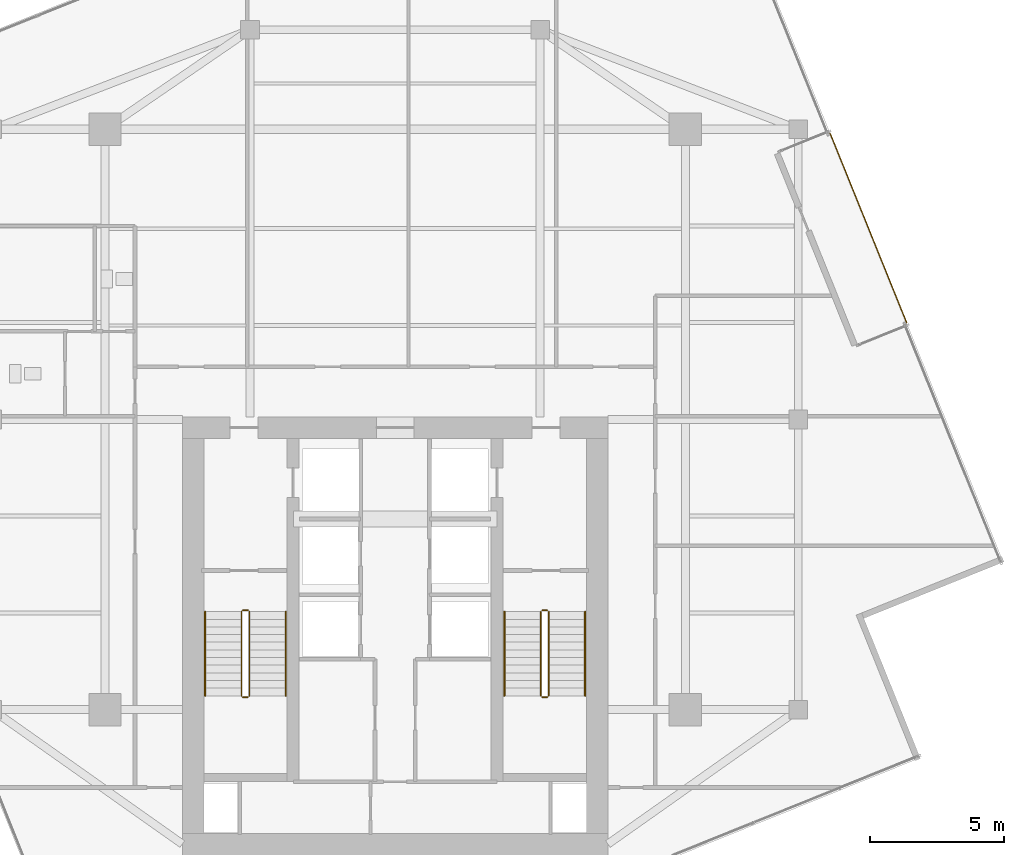
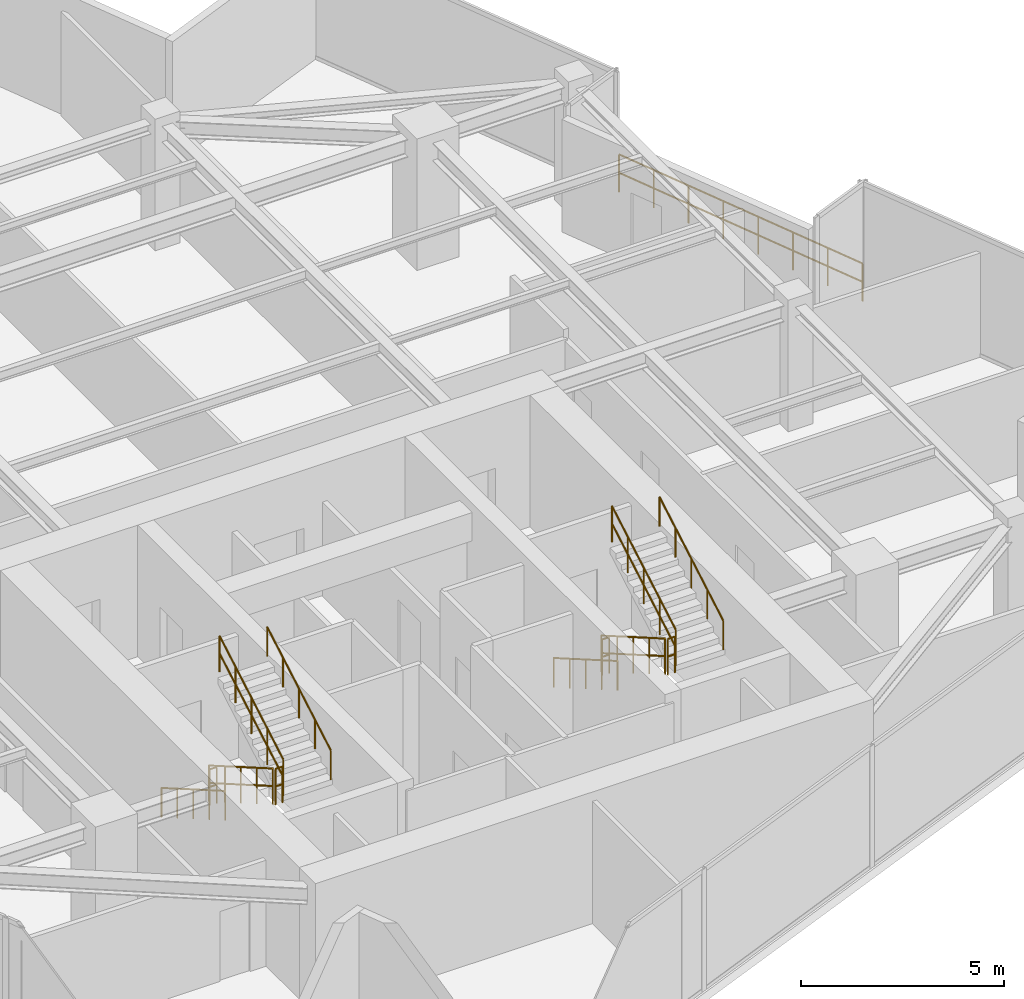
# One storey, part 20 of 21: 13 railings.
"""IFC4 building model written with IfcOpenShell, lengths in metres."""

from ifc_helpers import new_model, si_unit, direction, frame, origin, origin_2d, place, context, subcontext, project, spatial, circle, extrude, material, layer, layer_set, type_object, element, save


model = new_model("IFC4")

# Units and contexts
model_context = context("Model", 3, precision=1e-05, world=origin(), true_north=direction((0.0, 1.0)))
body_context = subcontext(model_context, "Body", "Model", "MODEL_VIEW")
ifc_project = project(units=[si_unit("LENGTHUNIT", "METRE"), si_unit("AREAUNIT", "SQUARE_METRE"), si_unit("VOLUMEUNIT", "CUBIC_METRE"), si_unit("PLANEANGLEUNIT", "RADIAN"), si_unit("MASSUNIT", "GRAM", prefix="KILO")], contexts=[model_context])

# Site, building, storey
site_placement = place(None, origin())
site = spatial("IfcSite", under=ifc_project, at=site_placement, CompositionType="ELEMENT")
building_placement = place(site_placement, origin())
building = spatial("IfcBuilding", under=site, at=building_placement, Name="Krantzveldt Concourse Tower", CompositionType="ELEMENT")
storey_placement = place(building_placement, frame((0.0, 0.0, 323.75)))
storey = spatial("IfcBuildingStorey", under=building, at=storey_placement, Name="L79", CompositionType="ELEMENT", Elevation=323.75)

# Railings
ifc_material = material(Name="Stainless steel 316L", Category="steel")
ifc_layer_1 = layer(ifc_material, 0.080078125, Name="Stainless steel 316L", Category="steel")
ifc_layer_set_1 = layer_set([ifc_layer_1], Name="Stainless steel 316L (RL-BALUSTRADE-1150)")
railing_type_1 = type_object("IfcRailingType", Name="RL-BALUSTRADE-1150", PredefinedType="BALUSTRADE", material=ifc_layer_set_1)
railing_1_placement = place(storey_placement, frame((52.19287109375, 37.3408203125, 0.0)))
element("IfcRailing", 1, at=railing_1_placement, inside=storey, type_object=railing_type_1, Name="GD-L79-CTER-01", PredefinedType="BALUSTRADE", context=body_context, shape_type="SweptSolid", body=[
    extrude(circle(Radius=0.02392578125, at=origin_2d()), frame((0.0, 0.0, 1.1259765625), z_axis=(0.37462291533, -0.927177259918, 0.0), x_axis=(0.927177259918, 0.37462291533, 0.0)), (0.0, 0.0, 1.0), 7.60009765625),
    extrude(circle(Radius=0.02392578125, at=origin_2d()), frame((0.0, 0.0, 0.574951171875), z_axis=(0.37462291533, -0.927177259918, 0.0), x_axis=(0.927177259918, 0.37462291533, 0.0)), (0.0, 0.0, 1.0), 7.60009765625),
    extrude(circle(Radius=0.02099609375, at=origin_2d()), origin(), (0.0, 0.0, 1.0), 1.101806640625),
    extrude(circle(Radius=0.02099609375, at=origin_2d()), frame((0.40673828125, -1.006591796875, 0.0)), (0.0, 0.0, 1.0), 1.101806640625),
    extrude(circle(Radius=0.02099609375, at=origin_2d()), frame((0.8134765625, -2.013427734375, 0.0)), (0.0, 0.0, 1.0), 1.101806640625),
    extrude(circle(Radius=0.02099609375, at=origin_2d()), frame((1.22021484375, -3.02001953125, 0.0)), (0.0, 0.0, 1.0), 1.101806640625),
    extrude(circle(Radius=0.02099609375, at=origin_2d()), frame((1.626953125, -4.026611328125, 0.0)), (0.0, 0.0, 1.0), 1.101806640625),
    extrude(circle(Radius=0.02099609375, at=origin_2d()), frame((2.03369140625, -5.033203125, 0.0)), (0.0, 0.0, 1.0), 1.101806640625),
    extrude(circle(Radius=0.02099609375, at=origin_2d()), frame((2.4404296875, -6.0400390625, 0.0)), (0.0, 0.0, 1.0), 1.101806640625),
    extrude(circle(Radius=0.02099609375, at=origin_2d()), frame((2.84716796875, -7.046630859375, 0.0)), (0.0, 0.0, 1.0), 1.101806640625),
])
ifc_layer_2 = layer(ifc_material, 0.06005859375, Name="Stainless steel 316L", Category="steel")
ifc_layer_set_2 = layer_set([ifc_layer_2], Name="Stainless steel 316L (RL-GUARD-1120)")
railing_type_2 = type_object("IfcRailingType", Name="RL-GUARD-1120", PredefinedType="GUARDRAIL", material=ifc_layer_set_2)
railing_2_placement = place(storey_placement, frame((30.280029296875, 19.550048828125, 0.16455078125)))
element("IfcRailing", 2, at=railing_2_placement, inside=storey, type_object=railing_type_2, Name="L79 ST-1 stair guard 1", PredefinedType="GUARDRAIL", context=body_context, shape_type="SweptSolid", body=[
    extrude(circle(Radius=0.02392578125, at=origin_2d()), frame((0.0, 0.0, 1.076171875), z_axis=(0.0, -0.865959834175, 0.500113552702), x_axis=(1.0, 0.0, 0.0)), (0.0, 0.0, 1.0), 3.620361328125),
    extrude(circle(Radius=0.02392578125, at=origin_2d()), frame((0.0, 0.0, 0.550048828125), z_axis=(0.0, -0.865959834175, 0.500113552702), x_axis=(1.0, 0.0, 0.0)), (0.0, 0.0, 1.0), 3.620361328125),
    extrude(circle(Radius=0.02099609375, at=origin_2d()), origin(), (0.0, 0.0, 1.0), 1.052001953125),
    extrude(circle(Radius=0.02099609375, at=origin_2d()), frame((0.0, -0.78369140625, 0.45263671875)), (0.0, 0.0, 1.0), 1.052001953125),
    extrude(circle(Radius=0.02099609375, at=origin_2d()), frame((0.0, -1.5673828125, 0.9052734375)), (0.0, 0.0, 1.0), 1.052001953125),
    extrude(circle(Radius=0.02099609375, at=origin_2d()), frame((0.0, -2.351318359375, 1.35791015625)), (0.0, 0.0, 1.0), 1.052001953125),
    extrude(circle(Radius=0.02099609375, at=origin_2d()), frame((0.0, -3.135009765625, 1.810546875)), (0.0, 0.0, 1.0), 1.052001953125),
])
railing_3_placement = place(storey_placement, frame((30.330078125, 16.364990234375, 1.97509765625)))
element("IfcRailing", 3, at=railing_3_placement, inside=storey, type_object=railing_type_2, Name="L79 ST-1 stair guard 2", PredefinedType="GUARDRAIL", context=body_context, shape_type="SweptSolid", body=[
    extrude(circle(Radius=0.02392578125, at=origin_2d()), frame((0.0, 0.0, 1.076171875), z_axis=(1.0, 0.0, 0.0), x_axis=(0.0, 1.0, 0.0)), (0.0, 0.0, 1.0), 0.199951171875),
    extrude(circle(Radius=0.02392578125, at=origin_2d()), frame((0.0, 0.0, 0.550048828125), z_axis=(1.0, 0.0, 0.0), x_axis=(0.0, 1.0, 0.0)), (0.0, 0.0, 1.0), 0.199951171875),
    extrude(circle(Radius=0.02099609375, at=origin_2d()), origin(), (0.0, 0.0, 1.0), 1.052001953125),
    extrude(circle(Radius=0.02099609375, at=origin_2d()), frame((0.199951171875, 0.0, 0.0)), (0.0, 0.0, 1.0), 1.052001953125),
])
railing_4_placement = place(storey_placement, frame((30.580078125, 16.4150390625, 2.1396484375)))
element("IfcRailing", 4, at=railing_4_placement, inside=storey, type_object=railing_type_2, Name="L79 ST-1 stair guard 3", PredefinedType="GUARDRAIL", context=body_context, shape_type="SweptSolid", body=[
    extrude(circle(Radius=0.02392578125, at=origin_2d()), frame((0.0, 0.0, 1.076171875), z_axis=(0.0, 0.865989039225, 0.500062979975), x_axis=(-1.0, 0.0, 0.0)), (0.0, 0.0, 1.0), 3.6201171875),
    extrude(circle(Radius=0.02392578125, at=origin_2d()), frame((0.0, 0.0, 0.550048828125), z_axis=(0.0, 0.865989039225, 0.500062979975), x_axis=(-1.0, 0.0, 0.0)), (0.0, 0.0, 1.0), 3.6201171875),
    extrude(circle(Radius=0.02099609375, at=origin_2d()), origin(), (0.0, 0.0, 1.0), 1.052001953125),
    extrude(circle(Radius=0.02099609375, at=origin_2d()), frame((0.0, 0.78369140625, 0.45263671875)), (0.0, 0.0, 1.0), 1.052001953125),
    extrude(circle(Radius=0.02099609375, at=origin_2d()), frame((0.0, 1.5673828125, 0.9052734375)), (0.0, 0.0, 1.0), 1.052001953125),
    extrude(circle(Radius=0.02099609375, at=origin_2d()), frame((0.0, 2.351318359375, 1.357666015625)), (0.0, 0.0, 1.0), 1.052001953125),
    extrude(circle(Radius=0.02099609375, at=origin_2d()), frame((0.0, 3.135009765625, 1.810302734375)), (0.0, 0.0, 1.0), 1.052001953125),
])
railing_5_placement = place(storey_placement, frame((30.330078125, 19.60009765625, 0.0)))
element("IfcRailing", 5, at=railing_5_placement, inside=storey, type_object=railing_type_2, Name="L79 ST-1 stair guard 4", PredefinedType="GUARDRAIL", context=body_context, shape_type="SweptSolid", body=[
    extrude(circle(Radius=0.02392578125, at=origin_2d()), frame((0.0, 0.0, 1.076171875), z_axis=(1.0, 0.0, 0.0), x_axis=(0.0, 1.0, 0.0)), (0.0, 0.0, 1.0), 0.199951171875),
    extrude(circle(Radius=0.02392578125, at=origin_2d()), frame((0.0, 0.0, 0.550048828125), z_axis=(1.0, 0.0, 0.0), x_axis=(0.0, 1.0, 0.0)), (0.0, 0.0, 1.0), 0.199951171875),
    extrude(circle(Radius=0.02099609375, at=origin_2d()), origin(), (0.0, 0.0, 1.0), 1.052001953125),
    extrude(circle(Radius=0.02099609375, at=origin_2d()), frame((0.199951171875, 0.0, 0.0)), (0.0, 0.0, 1.0), 1.052001953125),
])
railing_6_placement = place(storey_placement, frame((41.419921875, 19.550048828125, 0.16455078125)))
element("IfcRailing", 6, at=railing_6_placement, inside=storey, type_object=railing_type_2, Name="L79 ST-2 stair guard 1", PredefinedType="GUARDRAIL", context=body_context, shape_type="SweptSolid", body=[
    extrude(circle(Radius=0.02392578125, at=origin_2d()), frame((0.0, 0.0, 1.076171875), z_axis=(0.0, -0.865959834175, 0.500113552702), x_axis=(1.0, 0.0, 0.0)), (0.0, 0.0, 1.0), 3.620361328125),
    extrude(circle(Radius=0.02392578125, at=origin_2d()), frame((0.0, 0.0, 0.550048828125), z_axis=(0.0, -0.865959834175, 0.500113552702), x_axis=(1.0, 0.0, 0.0)), (0.0, 0.0, 1.0), 3.620361328125),
    extrude(circle(Radius=0.02099609375, at=origin_2d()), origin(), (0.0, 0.0, 1.0), 1.052001953125),
    extrude(circle(Radius=0.02099609375, at=origin_2d()), frame((0.0, -0.78369140625, 0.45263671875)), (0.0, 0.0, 1.0), 1.052001953125),
    extrude(circle(Radius=0.02099609375, at=origin_2d()), frame((0.0, -1.5673828125, 0.9052734375)), (0.0, 0.0, 1.0), 1.052001953125),
    extrude(circle(Radius=0.02099609375, at=origin_2d()), frame((0.0, -2.351318359375, 1.35791015625)), (0.0, 0.0, 1.0), 1.052001953125),
    extrude(circle(Radius=0.02099609375, at=origin_2d()), frame((0.0, -3.135009765625, 1.810546875)), (0.0, 0.0, 1.0), 1.052001953125),
])
railing_7_placement = place(storey_placement, frame((41.469970703125, 16.364990234375, 1.97509765625)))
element("IfcRailing", 7, at=railing_7_placement, inside=storey, type_object=railing_type_2, Name="L79 ST-2 stair guard 2", PredefinedType="GUARDRAIL", context=body_context, shape_type="SweptSolid", body=[
    extrude(circle(Radius=0.02392578125, at=origin_2d()), frame((0.0, 0.0, 1.076171875), z_axis=(1.0, 0.0, 0.0), x_axis=(0.0, 1.0, 0.0)), (0.0, 0.0, 1.0), 0.199951171875),
    extrude(circle(Radius=0.02392578125, at=origin_2d()), frame((0.0, 0.0, 0.550048828125), z_axis=(1.0, 0.0, 0.0), x_axis=(0.0, 1.0, 0.0)), (0.0, 0.0, 1.0), 0.199951171875),
    extrude(circle(Radius=0.02099609375, at=origin_2d()), origin(), (0.0, 0.0, 1.0), 1.052001953125),
    extrude(circle(Radius=0.02099609375, at=origin_2d()), frame((0.199951171875, 0.0, 0.0)), (0.0, 0.0, 1.0), 1.052001953125),
])
railing_8_placement = place(storey_placement, frame((41.719970703125, 16.4150390625, 2.1396484375)))
element("IfcRailing", 8, at=railing_8_placement, inside=storey, type_object=railing_type_2, Name="L79 ST-2 stair guard 3", PredefinedType="GUARDRAIL", context=body_context, shape_type="SweptSolid", body=[
    extrude(circle(Radius=0.02392578125, at=origin_2d()), frame((0.0, 0.0, 1.076171875), z_axis=(0.0, 0.865989039225, 0.500062979975), x_axis=(-1.0, 0.0, 0.0)), (0.0, 0.0, 1.0), 3.6201171875),
    extrude(circle(Radius=0.02392578125, at=origin_2d()), frame((0.0, 0.0, 0.550048828125), z_axis=(0.0, 0.865989039225, 0.500062979975), x_axis=(-1.0, 0.0, 0.0)), (0.0, 0.0, 1.0), 3.6201171875),
    extrude(circle(Radius=0.02099609375, at=origin_2d()), origin(), (0.0, 0.0, 1.0), 1.052001953125),
    extrude(circle(Radius=0.02099609375, at=origin_2d()), frame((0.0, 0.78369140625, 0.45263671875)), (0.0, 0.0, 1.0), 1.052001953125),
    extrude(circle(Radius=0.02099609375, at=origin_2d()), frame((0.0, 1.5673828125, 0.9052734375)), (0.0, 0.0, 1.0), 1.052001953125),
    extrude(circle(Radius=0.02099609375, at=origin_2d()), frame((0.0, 2.351318359375, 1.357666015625)), (0.0, 0.0, 1.0), 1.052001953125),
    extrude(circle(Radius=0.02099609375, at=origin_2d()), frame((0.0, 3.135009765625, 1.810302734375)), (0.0, 0.0, 1.0), 1.052001953125),
])
railing_9_placement = place(storey_placement, frame((41.469970703125, 19.60009765625, 0.0)))
element("IfcRailing", 9, at=railing_9_placement, inside=storey, type_object=railing_type_2, Name="L79 ST-2 stair guard 4", PredefinedType="GUARDRAIL", context=body_context, shape_type="SweptSolid", body=[
    extrude(circle(Radius=0.02392578125, at=origin_2d()), frame((0.0, 0.0, 1.076171875), z_axis=(1.0, 0.0, 0.0), x_axis=(0.0, 1.0, 0.0)), (0.0, 0.0, 1.0), 0.199951171875),
    extrude(circle(Radius=0.02392578125, at=origin_2d()), frame((0.0, 0.0, 0.550048828125), z_axis=(1.0, 0.0, 0.0), x_axis=(0.0, 1.0, 0.0)), (0.0, 0.0, 1.0), 0.199951171875),
    extrude(circle(Radius=0.02099609375, at=origin_2d()), origin(), (0.0, 0.0, 1.0), 1.052001953125),
    extrude(circle(Radius=0.02099609375, at=origin_2d()), frame((0.199951171875, 0.0, 0.0)), (0.0, 0.0, 1.0), 1.052001953125),
])
ifc_layer_3 = layer(ifc_material, 0.050048828125, Name="Stainless steel 316L", Category="steel")
ifc_layer_set_3 = layer_set([ifc_layer_3], Name="Stainless steel 316L (RL-HANDRAIL-920)")
railing_type_3 = type_object("IfcRailingType", Name="RL-HANDRAIL-920", PredefinedType="HANDRAIL", material=ifc_layer_set_3)
railing_10_placement = place(storey_placement, frame((28.929931640625, 19.550048828125, 0.16455078125)))
element("IfcRailing", 10, at=railing_10_placement, inside=storey, type_object=railing_type_3, Name="L79 ST-1 stair handrail 1", PredefinedType="HANDRAIL", context=body_context, shape_type="SweptSolid", body=[
    extrude(circle(Radius=0.02392578125, at=origin_2d()), frame((0.0, 0.0, 0.8759765625), z_axis=(0.0, -0.865959834175, 0.500113552702), x_axis=(1.0, 0.0, 0.0)), (0.0, 0.0, 1.0), 3.620361328125),
    extrude(circle(Radius=0.02099609375, at=origin_2d()), origin(), (0.0, 0.0, 1.0), 0.851806640625),
    extrude(circle(Radius=0.02099609375, at=origin_2d()), frame((0.0, -0.78369140625, 0.45263671875)), (0.0, 0.0, 1.0), 0.851806640625),
    extrude(circle(Radius=0.02099609375, at=origin_2d()), frame((0.0, -1.5673828125, 0.9052734375)), (0.0, 0.0, 1.0), 0.851806640625),
    extrude(circle(Radius=0.02099609375, at=origin_2d()), frame((0.0, -2.351318359375, 1.35791015625)), (0.0, 0.0, 1.0), 0.851806640625),
    extrude(circle(Radius=0.02099609375, at=origin_2d()), frame((0.0, -3.135009765625, 1.810546875)), (0.0, 0.0, 1.0), 0.851806640625),
])
railing_11_placement = place(storey_placement, frame((31.929931640625, 16.4150390625, 2.1396484375)))
element("IfcRailing", 11, at=railing_11_placement, inside=storey, type_object=railing_type_3, Name="L79 ST-1 stair handrail 2", PredefinedType="HANDRAIL", context=body_context, shape_type="SweptSolid", body=[
    extrude(circle(Radius=0.02392578125, at=origin_2d()), frame((0.0, 0.0, 0.8759765625), z_axis=(0.0, 0.865989039225, 0.500062979975), x_axis=(-1.0, 0.0, 0.0)), (0.0, 0.0, 1.0), 3.6201171875),
    extrude(circle(Radius=0.02099609375, at=origin_2d()), origin(), (0.0, 0.0, 1.0), 0.851806640625),
    extrude(circle(Radius=0.02099609375, at=origin_2d()), frame((0.0, 0.78369140625, 0.45263671875)), (0.0, 0.0, 1.0), 0.851806640625),
    extrude(circle(Radius=0.02099609375, at=origin_2d()), frame((0.0, 1.5673828125, 0.9052734375)), (0.0, 0.0, 1.0), 0.851806640625),
    extrude(circle(Radius=0.02099609375, at=origin_2d()), frame((0.0, 2.351318359375, 1.357666015625)), (0.0, 0.0, 1.0), 0.851806640625),
    extrude(circle(Radius=0.02099609375, at=origin_2d()), frame((0.0, 3.135009765625, 1.810302734375)), (0.0, 0.0, 1.0), 0.851806640625),
])
railing_12_placement = place(storey_placement, frame((40.070068359375, 19.550048828125, 0.16455078125)))
element("IfcRailing", 12, at=railing_12_placement, inside=storey, type_object=railing_type_3, Name="L79 ST-2 stair handrail 1", PredefinedType="HANDRAIL", context=body_context, shape_type="SweptSolid", body=[
    extrude(circle(Radius=0.02392578125, at=origin_2d()), frame((0.0, 0.0, 0.8759765625), z_axis=(0.0, -0.865959834175, 0.500113552702), x_axis=(1.0, 0.0, 0.0)), (0.0, 0.0, 1.0), 3.620361328125),
    extrude(circle(Radius=0.02099609375, at=origin_2d()), origin(), (0.0, 0.0, 1.0), 0.851806640625),
    extrude(circle(Radius=0.02099609375, at=origin_2d()), frame((0.0, -0.78369140625, 0.45263671875)), (0.0, 0.0, 1.0), 0.851806640625),
    extrude(circle(Radius=0.02099609375, at=origin_2d()), frame((0.0, -1.5673828125, 0.9052734375)), (0.0, 0.0, 1.0), 0.851806640625),
    extrude(circle(Radius=0.02099609375, at=origin_2d()), frame((0.0, -2.351318359375, 1.35791015625)), (0.0, 0.0, 1.0), 0.851806640625),
    extrude(circle(Radius=0.02099609375, at=origin_2d()), frame((0.0, -3.135009765625, 1.810546875)), (0.0, 0.0, 1.0), 0.851806640625),
])
railing_13_placement = place(storey_placement, frame((43.070068359375, 16.4150390625, 2.1396484375)))
element("IfcRailing", 13, at=railing_13_placement, inside=storey, type_object=railing_type_3, Name="L79 ST-2 stair handrail 2", PredefinedType="HANDRAIL", context=body_context, shape_type="SweptSolid", body=[
    extrude(circle(Radius=0.02392578125, at=origin_2d()), frame((0.0, 0.0, 0.8759765625), z_axis=(0.0, 0.865989039225, 0.500062979975), x_axis=(-1.0, 0.0, 0.0)), (0.0, 0.0, 1.0), 3.6201171875),
    extrude(circle(Radius=0.02099609375, at=origin_2d()), origin(), (0.0, 0.0, 1.0), 0.851806640625),
    extrude(circle(Radius=0.02099609375, at=origin_2d()), frame((0.0, 0.78369140625, 0.45263671875)), (0.0, 0.0, 1.0), 0.851806640625),
    extrude(circle(Radius=0.02099609375, at=origin_2d()), frame((0.0, 1.5673828125, 0.9052734375)), (0.0, 0.0, 1.0), 0.851806640625),
    extrude(circle(Radius=0.02099609375, at=origin_2d()), frame((0.0, 2.351318359375, 1.357666015625)), (0.0, 0.0, 1.0), 0.851806640625),
    extrude(circle(Radius=0.02099609375, at=origin_2d()), frame((0.0, 3.135009765625, 1.810302734375)), (0.0, 0.0, 1.0), 0.851806640625),
])

save(model, "model.ifc")
